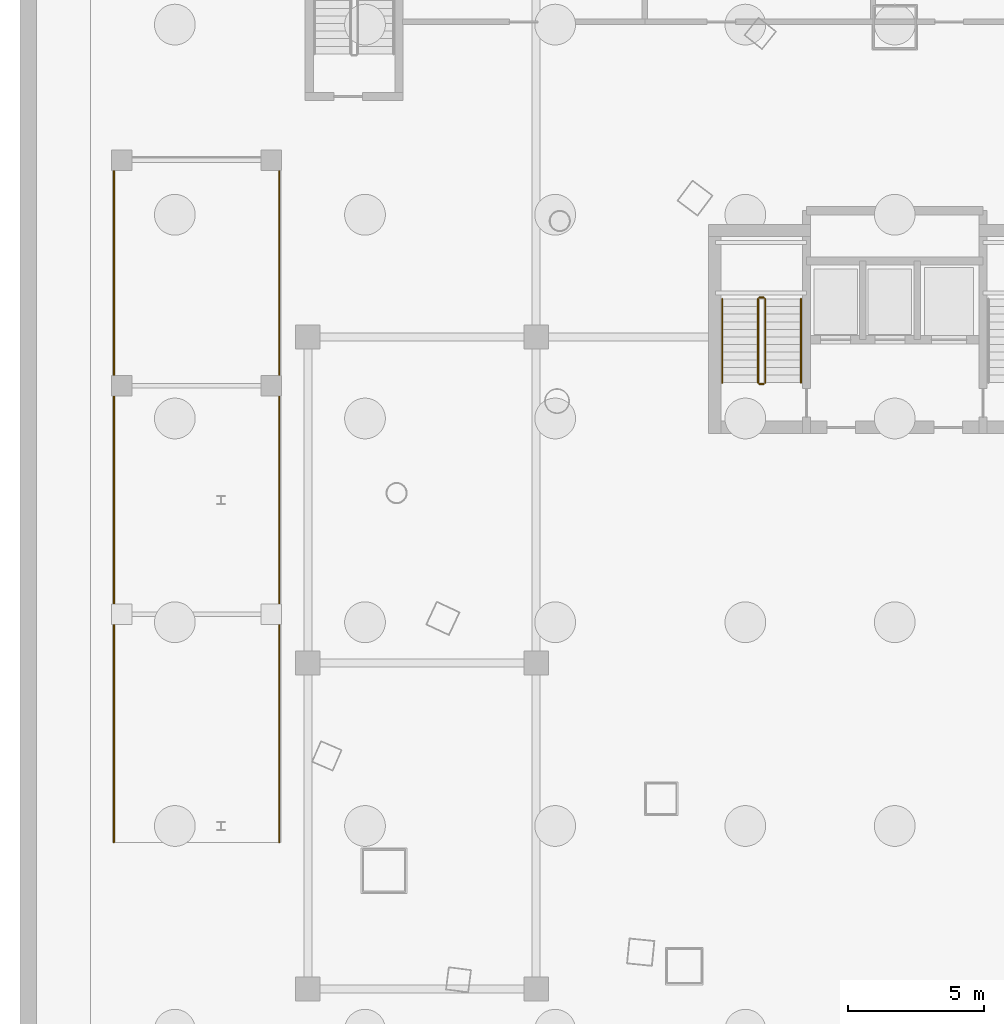
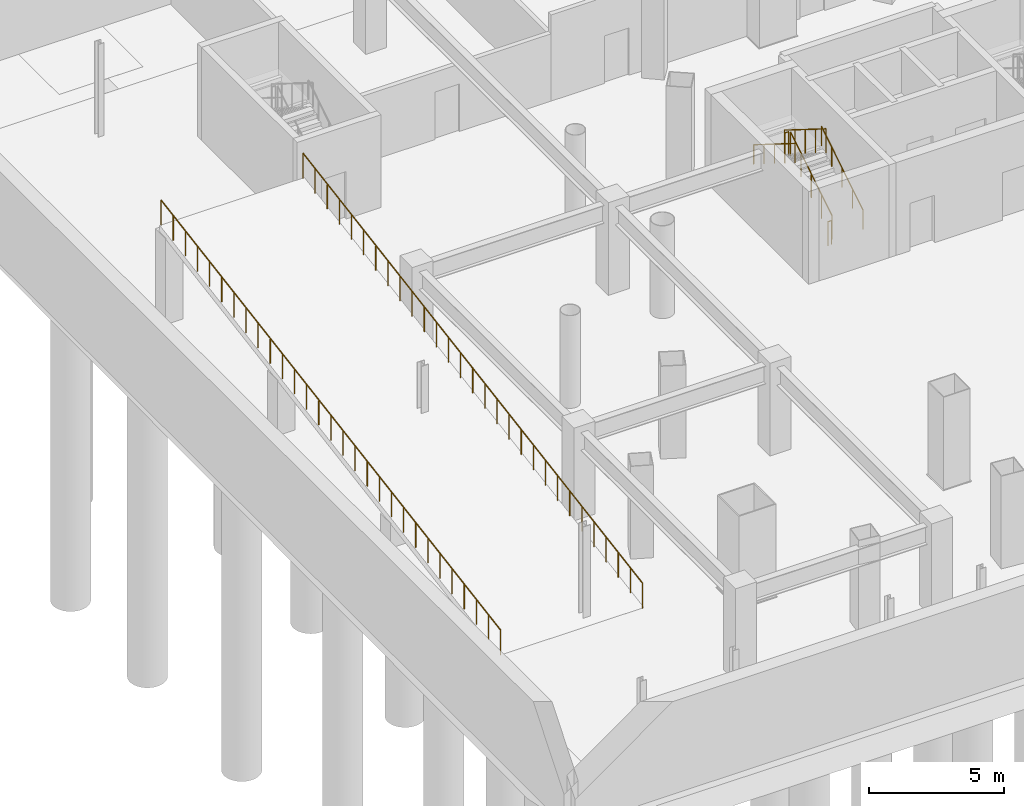
# One storey, part 9 of 12: 8 railings.
"""IFC4 building model written with IfcOpenShell, lengths in metres."""

from ifc_helpers import new_model, si_unit, direction, frame, origin, origin_2d, place, context, subcontext, project, spatial, circle, extrude, material, type_object, element, save


model = new_model("IFC4")

# Units and contexts
model_context = context("Model", 3, precision=1e-05, world=origin(), true_north=direction((0.0, 1.0)))
body_context = subcontext(model_context, "Body", "Model", "MODEL_VIEW")
ifc_project = project(units=[si_unit("LENGTHUNIT", "METRE"), si_unit("AREAUNIT", "SQUARE_METRE"), si_unit("VOLUMEUNIT", "CUBIC_METRE"), si_unit("PLANEANGLEUNIT", "RADIAN"), si_unit("MASSUNIT", "GRAM", prefix="KILO")], contexts=[model_context])

# Site, building, storey
site_placement = place(None, origin())
site = spatial("IfcSite", under=ifc_project, at=site_placement, CompositionType="ELEMENT")
building_placement = place(site_placement, origin())
building = spatial("IfcBuilding", under=site, at=building_placement, Name="Orvanel Arch Residences", CompositionType="ELEMENT")
storey_placement = place(building_placement, frame((0.0, 0.0, -8.39990234375)))
storey = spatial("IfcBuildingStorey", under=building, at=storey_placement, Name="B02", CompositionType="ELEMENT", Elevation=-8.39990234375)

# Railings
ifc_material = material(Name="Structural steel AS/NZS 1163 C350L0 (Grade 350)", Category="steel")
railing_type_1 = type_object("IfcRailingType", Name="RL-RMP-1100", PredefinedType="GUARDRAIL", material=ifc_material)
railing_1_placement = place(storey_placement, frame((4.260009765625, 11.39990234375, 0.0)))
element("IfcRailing", 1, at=railing_1_placement, inside=storey, type_object=railing_type_1, Name="B02 Vehicle Ramp Flight W Side Guardrail", PredefinedType="GUARDRAIL", context=body_context, shape_type="SweptSolid", body=[
    extrude(circle(Radius=0.02392578125, at=origin_2d()), frame((0.0, 0.00146484375, 1.126220703125), z_axis=(0.0, 0.9864119972, 0.164290510316), x_axis=(-1.0, 0.0, 0.0)), (0.0, 0.0, 1.0), 1.82177734375),
    extrude(circle(Radius=0.02392578125, at=origin_2d()), frame((0.0, 1.801513671875, 1.426025390625), z_axis=(0.0, 0.986390307807, 0.164420681988), x_axis=(-1.0, 0.0, 0.0)), (0.0, 0.0, 1.0), 1.82177734375),
    extrude(circle(Radius=0.02392578125, at=origin_2d()), frame((0.0, 3.6015625, 1.72607421875), z_axis=(0.0, 0.986390307807, 0.164420681988), x_axis=(-1.0, 0.0, 0.0)), (0.0, 0.0, 1.0), 1.82177734375),
    extrude(circle(Radius=0.02392578125, at=origin_2d()), frame((0.0, 5.401611328125, 2.026123046875), z_axis=(0.0, 0.986390307807, 0.164420681988), x_axis=(-1.0, 0.0, 0.0)), (0.0, 0.0, 1.0), 1.82177734375),
    extrude(circle(Radius=0.02392578125, at=origin_2d()), frame((0.0, 7.20166015625, 2.326171875), z_axis=(0.0, 0.986386690349, 0.164442382317), x_axis=(-1.0, 0.0, 0.0)), (0.0, 0.0, 1.0), 1.821533203125),
    extrude(circle(Radius=0.02392578125, at=origin_2d()), frame((0.0, 9.00146484375, 2.626220703125), z_axis=(0.0, 0.9864119972, 0.164290510316), x_axis=(-1.0, 0.0, 0.0)), (0.0, 0.0, 1.0), 1.82177734375),
    extrude(circle(Radius=0.02392578125, at=origin_2d()), frame((0.0, 10.801513671875, 2.926025390625), z_axis=(0.0, 0.986390307807, 0.164420681988), x_axis=(-1.0, 0.0, 0.0)), (0.0, 0.0, 1.0), 1.82177734375),
    extrude(circle(Radius=0.02392578125, at=origin_2d()), frame((0.0, 12.6015625, 3.22607421875), z_axis=(0.0, 0.986390307807, 0.164420681988), x_axis=(-1.0, 0.0, 0.0)), (0.0, 0.0, 1.0), 1.82177734375),
    extrude(circle(Radius=0.02392578125, at=origin_2d()), frame((0.0, 14.401611328125, 3.526123046875), z_axis=(0.0, 0.986390307807, 0.164420681988), x_axis=(-1.0, 0.0, 0.0)), (0.0, 0.0, 1.0), 1.82177734375),
    extrude(circle(Radius=0.02392578125, at=origin_2d()), frame((0.0, 16.20166015625, 3.826171875), z_axis=(0.0, 0.986386690349, 0.164442382317), x_axis=(-1.0, 0.0, 0.0)), (0.0, 0.0, 1.0), 1.821533203125),
    extrude(circle(Radius=0.02392578125, at=origin_2d()), frame((0.0, 18.00146484375, 4.126220703125), z_axis=(0.0, 0.9864119972, 0.164290510316), x_axis=(-1.0, 0.0, 0.0)), (0.0, 0.0, 1.0), 1.82177734375),
    extrude(circle(Radius=0.02392578125, at=origin_2d()), frame((0.0, 19.801513671875, 4.426025390625), z_axis=(0.0, 0.986390307807, 0.164420681988), x_axis=(-1.0, 0.0, 0.0)), (0.0, 0.0, 1.0), 1.82177734375),
    extrude(circle(Radius=0.02392578125, at=origin_2d()), frame((0.0, 21.6015625, 4.72607421875), z_axis=(0.0, 0.986390307807, 0.164420681988), x_axis=(-1.0, 0.0, 0.0)), (0.0, 0.0, 1.0), 1.82177734375),
    extrude(circle(Radius=0.02392578125, at=origin_2d()), frame((0.0, 23.401611328125, 5.026123046875), z_axis=(0.0, 0.986390307807, 0.164420681988), x_axis=(-1.0, 0.0, 0.0)), (0.0, 0.0, 1.0), 1.82177734375),
    extrude(circle(Radius=0.02099609375, at=origin_2d()), origin(), (0.0, 0.0, 1.0), 1.099853515625),
    extrude(circle(Radius=0.02099609375, at=origin_2d()), frame((0.0, 0.89990234375, 0.14990234375)), (0.0, 0.0, 1.0), 1.099853515625),
    extrude(circle(Radius=0.02099609375, at=origin_2d()), frame((0.0, 1.800048828125, 0.2998046875)), (0.0, 0.0, 1.0), 1.099853515625),
    extrude(circle(Radius=0.02099609375, at=origin_2d()), frame((0.0, 2.7001953125, 0.44970703125)), (0.0, 0.0, 1.0), 1.099853515625),
    extrude(circle(Radius=0.02099609375, at=origin_2d()), frame((0.0, 3.60009765625, 0.599853515625)), (0.0, 0.0, 1.0), 1.099853515625),
    extrude(circle(Radius=0.02099609375, at=origin_2d()), frame((0.0, 4.5, 0.75)), (0.0, 0.0, 1.0), 1.099853515625),
    extrude(circle(Radius=0.02099609375, at=origin_2d()), frame((0.0, 5.400146484375, 0.89990234375)), (0.0, 0.0, 1.0), 1.099853515625),
    extrude(circle(Radius=0.02099609375, at=origin_2d()), frame((0.0, 6.30029296875, 1.0498046875)), (0.0, 0.0, 1.0), 1.099853515625),
    extrude(circle(Radius=0.02099609375, at=origin_2d()), frame((0.0, 7.2001953125, 1.199951171875)), (0.0, 0.0, 1.0), 1.099853515625),
    extrude(circle(Radius=0.02099609375, at=origin_2d()), frame((0.0, 8.10009765625, 1.35009765625)), (0.0, 0.0, 1.0), 1.099853515625),
    extrude(circle(Radius=0.02099609375, at=origin_2d()), frame((0.0, 9.0, 1.5)), (0.0, 0.0, 1.0), 1.099853515625),
    extrude(circle(Radius=0.02099609375, at=origin_2d()), frame((0.0, 9.89990234375, 1.64990234375)), (0.0, 0.0, 1.0), 1.099853515625),
    extrude(circle(Radius=0.02099609375, at=origin_2d()), frame((0.0, 10.800048828125, 1.7998046875)), (0.0, 0.0, 1.0), 1.099853515625),
    extrude(circle(Radius=0.02099609375, at=origin_2d()), frame((0.0, 11.7001953125, 1.94970703125)), (0.0, 0.0, 1.0), 1.099853515625),
    extrude(circle(Radius=0.02099609375, at=origin_2d()), frame((0.0, 12.60009765625, 2.099853515625)), (0.0, 0.0, 1.0), 1.099853515625),
    extrude(circle(Radius=0.02099609375, at=origin_2d()), frame((0.0, 13.5, 2.25)), (0.0, 0.0, 1.0), 1.099853515625),
    extrude(circle(Radius=0.02099609375, at=origin_2d()), frame((0.0, 14.400146484375, 2.39990234375)), (0.0, 0.0, 1.0), 1.099853515625),
    extrude(circle(Radius=0.02099609375, at=origin_2d()), frame((0.0, 15.30029296875, 2.5498046875)), (0.0, 0.0, 1.0), 1.099853515625),
    extrude(circle(Radius=0.02099609375, at=origin_2d()), frame((0.0, 16.2001953125, 2.699951171875)), (0.0, 0.0, 1.0), 1.099853515625),
    extrude(circle(Radius=0.02099609375, at=origin_2d()), frame((0.0, 17.10009765625, 2.85009765625)), (0.0, 0.0, 1.0), 1.099853515625),
    extrude(circle(Radius=0.02099609375, at=origin_2d()), frame((0.0, 18.0, 3.0)), (0.0, 0.0, 1.0), 1.099853515625),
    extrude(circle(Radius=0.02099609375, at=origin_2d()), frame((0.0, 18.89990234375, 3.14990234375)), (0.0, 0.0, 1.0), 1.099853515625),
    extrude(circle(Radius=0.02099609375, at=origin_2d()), frame((0.0, 19.800048828125, 3.2998046875)), (0.0, 0.0, 1.0), 1.099853515625),
    extrude(circle(Radius=0.02099609375, at=origin_2d()), frame((0.0, 20.7001953125, 3.44970703125)), (0.0, 0.0, 1.0), 1.099853515625),
    extrude(circle(Radius=0.02099609375, at=origin_2d()), frame((0.0, 21.60009765625, 3.599853515625)), (0.0, 0.0, 1.0), 1.099853515625),
    extrude(circle(Radius=0.02099609375, at=origin_2d()), frame((0.0, 22.5, 3.75)), (0.0, 0.0, 1.0), 1.099853515625),
    extrude(circle(Radius=0.02099609375, at=origin_2d()), frame((0.0, 23.400146484375, 3.89990234375)), (0.0, 0.0, 1.0), 1.099853515625),
    extrude(circle(Radius=0.02099609375, at=origin_2d()), frame((0.0, 24.30029296875, 4.0498046875)), (0.0, 0.0, 1.0), 1.099853515625),
    extrude(circle(Radius=0.02099609375, at=origin_2d()), frame((0.0, 25.2001953125, 4.199951171875)), (0.0, 0.0, 1.0), 1.099853515625),
])
railing_2_placement = place(storey_placement, frame((10.340087890625, 11.39990234375, 0.0)))
element("IfcRailing", 2, at=railing_2_placement, inside=storey, type_object=railing_type_1, Name="B02 Vehicle Ramp Flight E Side Guardrail", PredefinedType="GUARDRAIL", context=body_context, shape_type="SweptSolid", body=[
    extrude(circle(Radius=0.02392578125, at=origin_2d()), frame((0.0, 0.00146484375, 1.126220703125), z_axis=(0.0, 0.9864119972, 0.164290510316), x_axis=(-1.0, 0.0, 0.0)), (0.0, 0.0, 1.0), 1.82177734375),
    extrude(circle(Radius=0.02392578125, at=origin_2d()), frame((0.0, 1.801513671875, 1.426025390625), z_axis=(0.0, 0.986390307807, 0.164420681988), x_axis=(-1.0, 0.0, 0.0)), (0.0, 0.0, 1.0), 1.82177734375),
    extrude(circle(Radius=0.02392578125, at=origin_2d()), frame((0.0, 3.6015625, 1.72607421875), z_axis=(0.0, 0.986390307807, 0.164420681988), x_axis=(-1.0, 0.0, 0.0)), (0.0, 0.0, 1.0), 1.82177734375),
    extrude(circle(Radius=0.02392578125, at=origin_2d()), frame((0.0, 5.401611328125, 2.026123046875), z_axis=(0.0, 0.986390307807, 0.164420681988), x_axis=(-1.0, 0.0, 0.0)), (0.0, 0.0, 1.0), 1.82177734375),
    extrude(circle(Radius=0.02392578125, at=origin_2d()), frame((0.0, 7.20166015625, 2.326171875), z_axis=(0.0, 0.986386690349, 0.164442382317), x_axis=(-1.0, 0.0, 0.0)), (0.0, 0.0, 1.0), 1.821533203125),
    extrude(circle(Radius=0.02392578125, at=origin_2d()), frame((0.0, 9.00146484375, 2.626220703125), z_axis=(0.0, 0.9864119972, 0.164290510316), x_axis=(-1.0, 0.0, 0.0)), (0.0, 0.0, 1.0), 1.82177734375),
    extrude(circle(Radius=0.02392578125, at=origin_2d()), frame((0.0, 10.801513671875, 2.926025390625), z_axis=(0.0, 0.986390307807, 0.164420681988), x_axis=(-1.0, 0.0, 0.0)), (0.0, 0.0, 1.0), 1.82177734375),
    extrude(circle(Radius=0.02392578125, at=origin_2d()), frame((0.0, 12.6015625, 3.22607421875), z_axis=(0.0, 0.986390307807, 0.164420681988), x_axis=(-1.0, 0.0, 0.0)), (0.0, 0.0, 1.0), 1.82177734375),
    extrude(circle(Radius=0.02392578125, at=origin_2d()), frame((0.0, 14.401611328125, 3.526123046875), z_axis=(0.0, 0.986390307807, 0.164420681988), x_axis=(-1.0, 0.0, 0.0)), (0.0, 0.0, 1.0), 1.82177734375),
    extrude(circle(Radius=0.02392578125, at=origin_2d()), frame((0.0, 16.20166015625, 3.826171875), z_axis=(0.0, 0.986386690349, 0.164442382317), x_axis=(-1.0, 0.0, 0.0)), (0.0, 0.0, 1.0), 1.821533203125),
    extrude(circle(Radius=0.02392578125, at=origin_2d()), frame((0.0, 18.00146484375, 4.126220703125), z_axis=(0.0, 0.9864119972, 0.164290510316), x_axis=(-1.0, 0.0, 0.0)), (0.0, 0.0, 1.0), 1.82177734375),
    extrude(circle(Radius=0.02392578125, at=origin_2d()), frame((0.0, 19.801513671875, 4.426025390625), z_axis=(0.0, 0.986390307807, 0.164420681988), x_axis=(-1.0, 0.0, 0.0)), (0.0, 0.0, 1.0), 1.82177734375),
    extrude(circle(Radius=0.02392578125, at=origin_2d()), frame((0.0, 21.6015625, 4.72607421875), z_axis=(0.0, 0.986390307807, 0.164420681988), x_axis=(-1.0, 0.0, 0.0)), (0.0, 0.0, 1.0), 1.82177734375),
    extrude(circle(Radius=0.02392578125, at=origin_2d()), frame((0.0, 23.401611328125, 5.026123046875), z_axis=(0.0, 0.986390307807, 0.164420681988), x_axis=(-1.0, 0.0, 0.0)), (0.0, 0.0, 1.0), 1.82177734375),
    extrude(circle(Radius=0.02099609375, at=origin_2d()), origin(), (0.0, 0.0, 1.0), 1.099853515625),
    extrude(circle(Radius=0.02099609375, at=origin_2d()), frame((0.0, 0.89990234375, 0.14990234375)), (0.0, 0.0, 1.0), 1.099853515625),
    extrude(circle(Radius=0.02099609375, at=origin_2d()), frame((0.0, 1.800048828125, 0.2998046875)), (0.0, 0.0, 1.0), 1.099853515625),
    extrude(circle(Radius=0.02099609375, at=origin_2d()), frame((0.0, 2.7001953125, 0.44970703125)), (0.0, 0.0, 1.0), 1.099853515625),
    extrude(circle(Radius=0.02099609375, at=origin_2d()), frame((0.0, 3.60009765625, 0.599853515625)), (0.0, 0.0, 1.0), 1.099853515625),
    extrude(circle(Radius=0.02099609375, at=origin_2d()), frame((0.0, 4.5, 0.75)), (0.0, 0.0, 1.0), 1.099853515625),
    extrude(circle(Radius=0.02099609375, at=origin_2d()), frame((0.0, 5.400146484375, 0.89990234375)), (0.0, 0.0, 1.0), 1.099853515625),
    extrude(circle(Radius=0.02099609375, at=origin_2d()), frame((0.0, 6.30029296875, 1.0498046875)), (0.0, 0.0, 1.0), 1.099853515625),
    extrude(circle(Radius=0.02099609375, at=origin_2d()), frame((0.0, 7.2001953125, 1.199951171875)), (0.0, 0.0, 1.0), 1.099853515625),
    extrude(circle(Radius=0.02099609375, at=origin_2d()), frame((0.0, 8.10009765625, 1.35009765625)), (0.0, 0.0, 1.0), 1.099853515625),
    extrude(circle(Radius=0.02099609375, at=origin_2d()), frame((0.0, 9.0, 1.5)), (0.0, 0.0, 1.0), 1.099853515625),
    extrude(circle(Radius=0.02099609375, at=origin_2d()), frame((0.0, 9.89990234375, 1.64990234375)), (0.0, 0.0, 1.0), 1.099853515625),
    extrude(circle(Radius=0.02099609375, at=origin_2d()), frame((0.0, 10.800048828125, 1.7998046875)), (0.0, 0.0, 1.0), 1.099853515625),
    extrude(circle(Radius=0.02099609375, at=origin_2d()), frame((0.0, 11.7001953125, 1.94970703125)), (0.0, 0.0, 1.0), 1.099853515625),
    extrude(circle(Radius=0.02099609375, at=origin_2d()), frame((0.0, 12.60009765625, 2.099853515625)), (0.0, 0.0, 1.0), 1.099853515625),
    extrude(circle(Radius=0.02099609375, at=origin_2d()), frame((0.0, 13.5, 2.25)), (0.0, 0.0, 1.0), 1.099853515625),
    extrude(circle(Radius=0.02099609375, at=origin_2d()), frame((0.0, 14.400146484375, 2.39990234375)), (0.0, 0.0, 1.0), 1.099853515625),
    extrude(circle(Radius=0.02099609375, at=origin_2d()), frame((0.0, 15.30029296875, 2.5498046875)), (0.0, 0.0, 1.0), 1.099853515625),
    extrude(circle(Radius=0.02099609375, at=origin_2d()), frame((0.0, 16.2001953125, 2.699951171875)), (0.0, 0.0, 1.0), 1.099853515625),
    extrude(circle(Radius=0.02099609375, at=origin_2d()), frame((0.0, 17.10009765625, 2.85009765625)), (0.0, 0.0, 1.0), 1.099853515625),
    extrude(circle(Radius=0.02099609375, at=origin_2d()), frame((0.0, 18.0, 3.0)), (0.0, 0.0, 1.0), 1.099853515625),
    extrude(circle(Radius=0.02099609375, at=origin_2d()), frame((0.0, 18.89990234375, 3.14990234375)), (0.0, 0.0, 1.0), 1.099853515625),
    extrude(circle(Radius=0.02099609375, at=origin_2d()), frame((0.0, 19.800048828125, 3.2998046875)), (0.0, 0.0, 1.0), 1.099853515625),
    extrude(circle(Radius=0.02099609375, at=origin_2d()), frame((0.0, 20.7001953125, 3.44970703125)), (0.0, 0.0, 1.0), 1.099853515625),
    extrude(circle(Radius=0.02099609375, at=origin_2d()), frame((0.0, 21.60009765625, 3.599853515625)), (0.0, 0.0, 1.0), 1.099853515625),
    extrude(circle(Radius=0.02099609375, at=origin_2d()), frame((0.0, 22.5, 3.75)), (0.0, 0.0, 1.0), 1.099853515625),
    extrude(circle(Radius=0.02099609375, at=origin_2d()), frame((0.0, 23.400146484375, 3.89990234375)), (0.0, 0.0, 1.0), 1.099853515625),
    extrude(circle(Radius=0.02099609375, at=origin_2d()), frame((0.0, 24.30029296875, 4.0498046875)), (0.0, 0.0, 1.0), 1.099853515625),
    extrude(circle(Radius=0.02099609375, at=origin_2d()), frame((0.0, 25.2001953125, 4.199951171875)), (0.0, 0.0, 1.0), 1.099853515625),
])
railing_type_2 = type_object("IfcRailingType", Name="RL-STAIR-GUARD", PredefinedType="GUARDRAIL", material=ifc_material)
railing_3_placement = place(storey_placement, frame((28.22998046875, 28.320068359375, 0.1748046875)))
element("IfcRailing", 3, at=railing_3_placement, inside=storey, type_object=railing_type_2, Name="B02 ST-1 stair guard 1", PredefinedType="GUARDRAIL", context=body_context, shape_type="SweptSolid", body=[
    extrude(circle(Radius=0.02392578125, at=origin_2d()), frame((0.0, 0.001220703125, 1.076904296875), z_axis=(0.0, 0.847979421464, 0.530029150871), x_axis=(-1.0, 0.0, 0.0)), (0.0, 0.0, 1.0), 3.62890625),
    extrude(circle(Radius=0.02099609375, at=origin_2d()), origin(), (0.0, 0.0, 1.0), 1.050048828125),
    extrude(circle(Radius=0.02099609375, at=origin_2d()), frame((0.0, 0.77001953125, 0.481201171875)), (0.0, 0.0, 1.0), 1.050048828125),
    extrude(circle(Radius=0.02099609375, at=origin_2d()), frame((0.0, 1.5400390625, 0.96240234375)), (0.0, 0.0, 1.0), 1.050048828125),
    extrude(circle(Radius=0.02099609375, at=origin_2d()), frame((0.0, 2.309814453125, 1.44384765625)), (0.0, 0.0, 1.0), 1.050048828125),
    extrude(circle(Radius=0.02099609375, at=origin_2d()), frame((0.0, 3.079833984375, 1.925048828125)), (0.0, 0.0, 1.0), 1.050048828125),
])
railing_4_placement = place(storey_placement, frame((28.179931640625, 31.449951171875, 2.099853515625)))
element("IfcRailing", 4, at=railing_4_placement, inside=storey, type_object=railing_type_2, Name="B02 ST-1 stair guard 2", PredefinedType="GUARDRAIL", context=body_context, shape_type="SweptSolid", body=[
    extrude(circle(Radius=0.02392578125, at=origin_2d()), frame((-0.00146484375, 0.0, 1.076171875), z_axis=(-1.0, 0.0, 0.0), x_axis=(0.0, -1.0, 0.0)), (0.0, 0.0, 1.0), 0.156982421875),
    extrude(circle(Radius=0.02099609375, at=origin_2d()), origin(), (0.0, 0.0, 1.0), 1.050048828125),
    extrude(circle(Radius=0.02099609375, at=origin_2d()), frame((-0.159912109375, 0.0, 0.0)), (0.0, 0.0, 1.0), 1.050048828125),
])
railing_5_placement = place(storey_placement, frame((27.969970703125, 31.39990234375, 2.27490234375)))
element("IfcRailing", 5, at=railing_5_placement, inside=storey, type_object=railing_type_2, Name="B02 ST-1 stair guard 3", PredefinedType="GUARDRAIL", context=body_context, shape_type="SweptSolid", body=[
    extrude(circle(Radius=0.02392578125, at=origin_2d()), frame((0.0, -0.001220703125, 1.076904296875), z_axis=(0.0, -0.847979421464, 0.530029150871), x_axis=(1.0, 0.0, 0.0)), (0.0, 0.0, 1.0), 3.62890625),
    extrude(circle(Radius=0.02099609375, at=origin_2d()), origin(), (0.0, 0.0, 1.0), 1.050048828125),
    extrude(circle(Radius=0.02099609375, at=origin_2d()), frame((0.0, -0.77001953125, 0.481201171875)), (0.0, 0.0, 1.0), 1.050048828125),
    extrude(circle(Radius=0.02099609375, at=origin_2d()), frame((0.0, -1.5400390625, 0.96240234375)), (0.0, 0.0, 1.0), 1.050048828125),
    extrude(circle(Radius=0.02099609375, at=origin_2d()), frame((0.0, -2.309814453125, 1.44384765625)), (0.0, 0.0, 1.0), 1.050048828125),
    extrude(circle(Radius=0.02099609375, at=origin_2d()), frame((0.0, -3.079833984375, 1.925048828125)), (0.0, 0.0, 1.0), 1.050048828125),
])
railing_6_placement = place(storey_placement, frame((28.179931640625, 28.27001953125, 0.0)))
element("IfcRailing", 6, at=railing_6_placement, inside=storey, type_object=railing_type_2, Name="B02 ST-1 stair guard 4", PredefinedType="GUARDRAIL", context=body_context, shape_type="SweptSolid", body=[
    extrude(circle(Radius=0.02392578125, at=origin_2d()), frame((-0.00146484375, 0.0, 1.076171875), z_axis=(-1.0, 0.0, 0.0), x_axis=(0.0, -1.0, 0.0)), (0.0, 0.0, 1.0), 0.156982421875),
    extrude(circle(Radius=0.02099609375, at=origin_2d()), origin(), (0.0, 0.0, 1.0), 1.050048828125),
    extrude(circle(Radius=0.02099609375, at=origin_2d()), frame((-0.159912109375, 0.0, 0.0)), (0.0, 0.0, 1.0), 1.050048828125),
])
railing_type_3 = type_object("IfcRailingType", Name="RL-STAIR-HAND", PredefinedType="HANDRAIL", material=ifc_material)
railing_7_placement = place(storey_placement, frame((29.550048828125, 28.320068359375, 0.1748046875)))
element("IfcRailing", 7, at=railing_7_placement, inside=storey, type_object=railing_type_3, Name="B02 ST-1 stair handrail 1", PredefinedType="HANDRAIL", context=body_context, shape_type="SweptSolid", body=[
    extrude(circle(Radius=0.02392578125, at=origin_2d()), frame((0.0, 0.001220703125, 0.876708984375), z_axis=(0.0, 0.847979421464, 0.530029150871), x_axis=(-1.0, 0.0, 0.0)), (0.0, 0.0, 1.0), 3.62890625),
    extrude(circle(Radius=0.02099609375, at=origin_2d()), origin(), (0.0, 0.0, 1.0), 0.849853515625),
    extrude(circle(Radius=0.02099609375, at=origin_2d()), frame((0.0, 0.77001953125, 0.481201171875)), (0.0, 0.0, 1.0), 0.849853515625),
    extrude(circle(Radius=0.02099609375, at=origin_2d()), frame((0.0, 1.5400390625, 0.96240234375)), (0.0, 0.0, 1.0), 0.849853515625),
    extrude(circle(Radius=0.02099609375, at=origin_2d()), frame((0.0, 2.309814453125, 1.44384765625)), (0.0, 0.0, 1.0), 0.849853515625),
    extrude(circle(Radius=0.02099609375, at=origin_2d()), frame((0.0, 3.079833984375, 1.925048828125)), (0.0, 0.0, 1.0), 0.849853515625),
])
railing_8_placement = place(storey_placement, frame((26.64990234375, 31.39990234375, 2.27490234375)))
element("IfcRailing", 8, at=railing_8_placement, inside=storey, type_object=railing_type_3, Name="B02 ST-1 stair handrail 2", PredefinedType="HANDRAIL", context=body_context, shape_type="SweptSolid", body=[
    extrude(circle(Radius=0.02392578125, at=origin_2d()), frame((0.0, -0.001220703125, 0.876708984375), z_axis=(0.0, -0.847979421464, 0.530029150871), x_axis=(1.0, 0.0, 0.0)), (0.0, 0.0, 1.0), 3.62890625),
    extrude(circle(Radius=0.02099609375, at=origin_2d()), origin(), (0.0, 0.0, 1.0), 0.849853515625),
    extrude(circle(Radius=0.02099609375, at=origin_2d()), frame((0.0, -0.77001953125, 0.481201171875)), (0.0, 0.0, 1.0), 0.849853515625),
    extrude(circle(Radius=0.02099609375, at=origin_2d()), frame((0.0, -1.5400390625, 0.96240234375)), (0.0, 0.0, 1.0), 0.849853515625),
    extrude(circle(Radius=0.02099609375, at=origin_2d()), frame((0.0, -2.309814453125, 1.44384765625)), (0.0, 0.0, 1.0), 0.849853515625),
    extrude(circle(Radius=0.02099609375, at=origin_2d()), frame((0.0, -3.079833984375, 1.925048828125)), (0.0, 0.0, 1.0), 0.849853515625),
])

save(model, "model.ifc")
